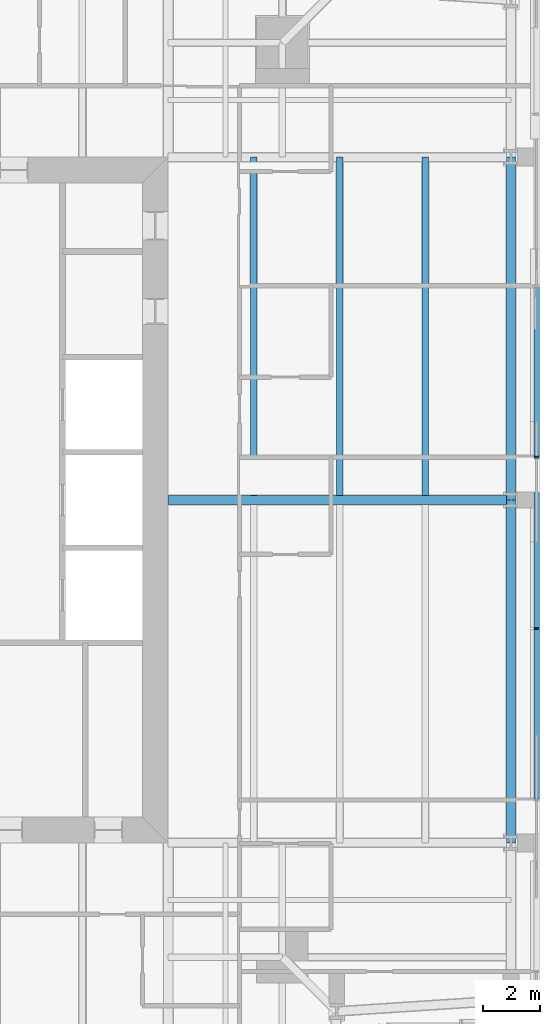
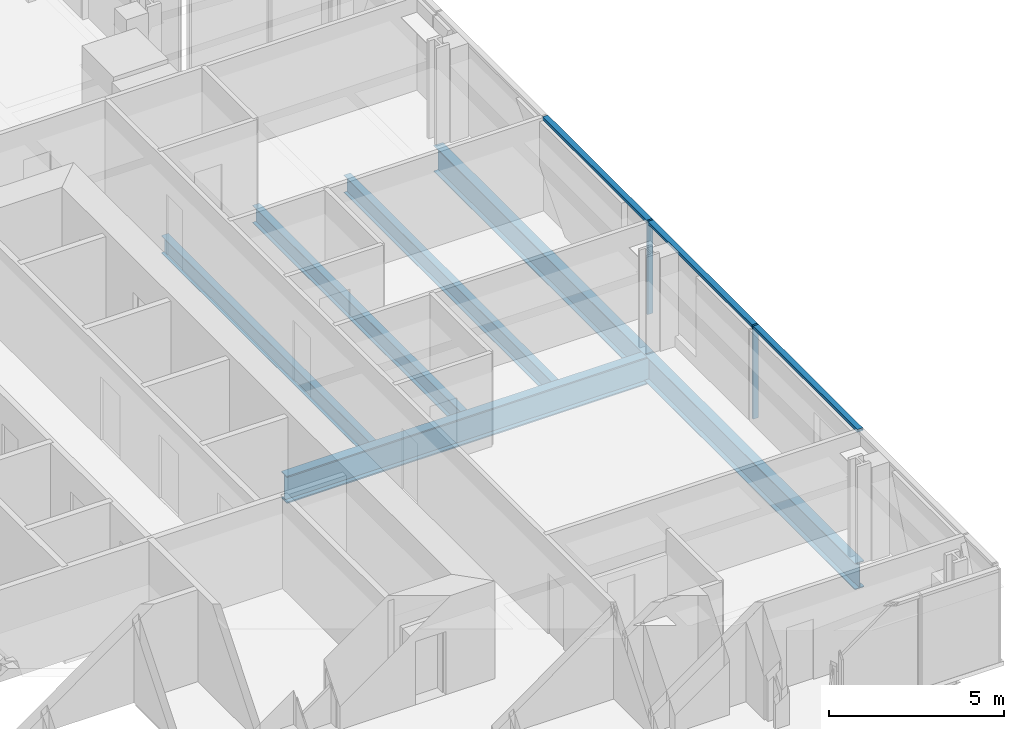
# One storey, part 6 of 20: 6 beams, 5 members, 1 element without a shape of its own.
"""IFC4 building model written with IfcOpenShell, lengths in metres."""

from ifc_helpers import new_model, si_unit, direction, frame, origin, origin_2d, place, context, subcontext, project, spatial, rectangle, i_section, extrude, material, material_profile, profile_set, type_object, element, aggregate, save


model = new_model("IFC4")

# Units and contexts
model_context = context("Model", 3, precision=1e-05, world=origin(), true_north=direction((0.0, 1.0)))
body_context = subcontext(model_context, "Body", "Model", "MODEL_VIEW")
ifc_project = project(units=[si_unit("LENGTHUNIT", "METRE"), si_unit("AREAUNIT", "SQUARE_METRE"), si_unit("VOLUMEUNIT", "CUBIC_METRE"), si_unit("PLANEANGLEUNIT", "RADIAN"), si_unit("MASSUNIT", "GRAM", prefix="KILO")], contexts=[model_context])

# Site, building, storey
site_placement = place(None, origin())
site = spatial("IfcSite", under=ifc_project, at=site_placement, CompositionType="ELEMENT")
building_placement = place(site_placement, origin())
building = spatial("IfcBuilding", under=site, at=building_placement, Name="Fenwick Lantern Interchange", CompositionType="ELEMENT")
storey_placement = place(building_placement, frame((0.0, 0.0, 286.60009765625)))
storey = spatial("IfcBuildingStorey", under=building, at=storey_placement, Name="L69", CompositionType="ELEMENT", Elevation=286.60009765625)

# Beams
ifc_material_1 = material(Name="Steel ASTM A992 Grade 50", Category="steel")
ifc_material_profile_1 = material_profile(ifc_material_1, i_section(OverallWidth=0.3046875, OverallDepth=0.911865234375, WebThickness=0.015869140625, FlangeThickness=0.02392578125, at=origin_2d()), Name="W36X150")
ifc_profile_set_1 = profile_set([ifc_material_profile_1], Name="Steel ASTM A992 Grade 50")
beam_type_1 = type_object("IfcBeamType", Name="EDGE BEAM W36X150", PredefinedType="SPANDREL", material=ifc_profile_set_1)
for number, where, z_axis, x_axis, name in (
    (1, (49.0, 13.0, -0.60595703125), (0.0, 1.0, 0.0), (-1.0, 0.0, 0.0), "L69/FR/E/EB2"),
    (2, (49.0, 25.0, -0.60595703125), (0.0, 1.0, 0.0), (-1.0, 0.0, 0.0), "L69/FR/E/EB3"),
):
    element("IfcBeam", number, at=place(storey_placement, frame(where, z_axis=z_axis, x_axis=x_axis)), inside=storey, type_object=beam_type_1, Name=name, PredefinedType="SPANDREL", context=body_context, shape_type="SweptSolid", body=[
        extrude(i_section(OverallWidth=0.3046875, OverallDepth=0.911865234375, WebThickness=0.015869140625, FlangeThickness=0.02392578125, at=origin_2d()), origin(), (0.0, 0.0, 1.0), 12.0),
    ])
ifc_material_profile_2 = material_profile(ifc_material_1, i_section(OverallWidth=0.22900390625, OverallDepth=0.612060546875, WebThickness=0.011962890625, FlangeThickness=0.01953125, at=origin_2d()), Name="W24X84")
ifc_profile_set_2 = profile_set([ifc_material_profile_2], Name="Steel ASTM A992 Grade 50")
beam_type_2 = type_object("IfcBeamType", Name="FLOOR BEAM W24X84", PredefinedType="BEAM", material=ifc_profile_set_2)
for number, where, z_axis, x_axis, name in (
    (3, (46.0, 25.155029296875, -0.4560546875), (0.0, 1.0, 0.0), (-1.0, 0.0, 0.0), "L69/FR/E/B04"),
    (4, (43.0, 25.155029296875, -0.4560546875), (0.0, 1.0, 0.0), (-1.0, 0.0, 0.0), "L69/FR/E/B05"),
    (5, (40.0, 25.155029296875, -0.4560546875), (0.0, 1.0, 0.0), (-1.0, 0.0, 0.0), "L69/FR/E/B06"),
):
    element("IfcBeam", number, at=place(storey_placement, frame(where, z_axis=z_axis, x_axis=x_axis)), inside=storey, type_object=beam_type_2, Name=name, PredefinedType="BEAM", context=body_context, shape_type="SweptSolid", body=[
        extrude(i_section(OverallWidth=0.22900390625, OverallDepth=0.612060546875, WebThickness=0.011962890625, FlangeThickness=0.01953125, at=origin_2d()), origin(), (0.0, 0.0, 1.0), 11.844970703125),
    ])

# Curtain wall, members
ifc_material_2 = material(Name="Aluminium curtain wall frame", Category="aluminium")
curtain_wall_type = type_object("IfcCurtainWallType", Name="HOTEL CURTAIN WALL", PredefinedType="USERDEFINED", material=ifc_material_2)
curtain_wall_placement = place(storey_placement, origin())
curtain_wall = element("IfcCurtainWall", 6, at=curtain_wall_placement, inside=storey, type_object=curtain_wall_type, Name="Hotel curtain wall 05", ObjectType="HOTEL CURTAIN WALL", PredefinedType="USERDEFINED")
ifc_material_3 = material(Name="Aluminium extrusion", Category="aluminium")
ifc_material_profile_3 = material_profile(ifc_material_3, rectangle(XDim=0.179931640625, YDim=0.06005859375, at=origin_2d()), Name="HOTEL CURTAIN WALL MULLION 60 X 180")
ifc_profile_set_3 = profile_set([ifc_material_profile_3], Name="Aluminium extrusion")
member_type_1 = type_object("IfcMemberType", Name="HOTEL CURTAIN WALL MULLION 60 X 180", PredefinedType="MULLION", material=ifc_profile_set_3)
member_1_placement = place(storey_placement, frame((49.89990234375, 20.5, 0.0), z_axis=(0.0, 0.0, 1.0), x_axis=(-1.0, 0.0, 0.0)))
member_1 = element("IfcMember", 7, at=member_1_placement, type_object=member_type_1, Name="L69/CW/05/M03", PredefinedType="MULLION", context=body_context, shape_type="SweptSolid", body=[
    extrude(rectangle(XDim=0.179931640625, YDim=0.06005859375, at=origin_2d()), origin(), (0.0, 0.0, 1.0), 3.25),
])
member_2_placement = place(storey_placement, frame((49.89990234375, 26.5, 0.0), z_axis=(0.0, 0.0, 1.0), x_axis=(-1.0, 0.0, 0.0)))
member_2 = element("IfcMember", 8, at=member_2_placement, type_object=member_type_1, Name="L69/CW/05/M04", PredefinedType="MULLION", context=body_context, shape_type="SweptSolid", body=[
    extrude(rectangle(XDim=0.179931640625, YDim=0.06005859375, at=origin_2d()), origin(), (0.0, 0.0, 1.0), 3.25),
])
ifc_material_profile_4 = material_profile(ifc_material_3, rectangle(XDim=0.179931640625, YDim=0.10009765625, at=origin_2d()), Name="HOTEL CURTAIN WALL TRANSOM 100 X 180")
ifc_profile_set_4 = profile_set([ifc_material_profile_4], Name="Aluminium extrusion")
member_type_2 = type_object("IfcMemberType", Name="HOTEL CURTAIN WALL TRANSOM 100 X 180", PredefinedType="MULLION", material=ifc_profile_set_4)
member_3_placement = place(storey_placement, frame((49.89990234375, 14.530029296875, 3.199951171875), z_axis=(0.0, 1.0, 0.0), x_axis=(-1.0, 0.0, 0.0)))
member_3 = element("IfcMember", 9, at=member_3_placement, type_object=member_type_2, Name="L69/CW/05/T02", PredefinedType="MULLION", context=body_context, shape_type="SweptSolid", body=[
    extrude(rectangle(XDim=0.179931640625, YDim=0.10009765625, at=origin_2d()), origin(), (0.0, 0.0, 1.0), 5.93994140625),
])
member_4_placement = place(storey_placement, frame((49.89990234375, 20.530029296875, 3.199951171875), z_axis=(0.0, 1.0, 0.0), x_axis=(-1.0, 0.0, 0.0)))
member_4 = element("IfcMember", 10, at=member_4_placement, type_object=member_type_2, Name="L69/CW/05/T03", PredefinedType="MULLION", context=body_context, shape_type="SweptSolid", body=[
    extrude(rectangle(XDim=0.179931640625, YDim=0.10009765625, at=origin_2d()), origin(), (0.0, 0.0, 1.0), 5.93994140625),
])
member_5_placement = place(storey_placement, frame((49.89990234375, 26.530029296875, 3.199951171875), z_axis=(0.0, 1.0, 0.0), x_axis=(-1.0, 0.0, 0.0)))
member_5 = element("IfcMember", 11, at=member_5_placement, type_object=member_type_2, Name="L69/CW/05/T04", PredefinedType="MULLION", context=body_context, shape_type="SweptSolid", body=[
    extrude(rectangle(XDim=0.179931640625, YDim=0.10009765625, at=origin_2d()), origin(), (0.0, 0.0, 1.0), 5.93994140625),
])
aggregate(curtain_wall, [member_1, member_2, member_3, member_4, member_5])

# Beam
ifc_material_profile_5 = material_profile(ifc_material_1, i_section(OverallWidth=0.309814453125, OverallDepth=0.949951171875, WebThickness=0.0244140625, FlangeThickness=0.0439453125, at=origin_2d()), Name="W36X256")
ifc_profile_set_5 = profile_set([ifc_material_profile_5], Name="Steel ASTM A992 Grade 50")
beam_type_3 = type_object("IfcBeamType", Name="MOMENT-CONNECTED GIRDER W36X256", PredefinedType="BEAM", material=ifc_profile_set_5)
beam_placement = place(storey_placement, frame((49.0, 25.0, -0.625), z_axis=(-1.0, 0.0, 0.0), x_axis=(0.0, -1.0, 0.0)))
element("IfcBeam", 12, at=beam_placement, inside=storey, type_object=beam_type_3, Name="L69/FR/E/R02", PredefinedType="BEAM", context=body_context, shape_type="SweptSolid", body=[
    extrude(i_section(OverallWidth=0.309814453125, OverallDepth=0.949951171875, WebThickness=0.0244140625, FlangeThickness=0.0439453125, at=origin_2d()), origin(), (0.0, 0.0, 1.0), 12.0),
])

save(model, "model.ifc")
